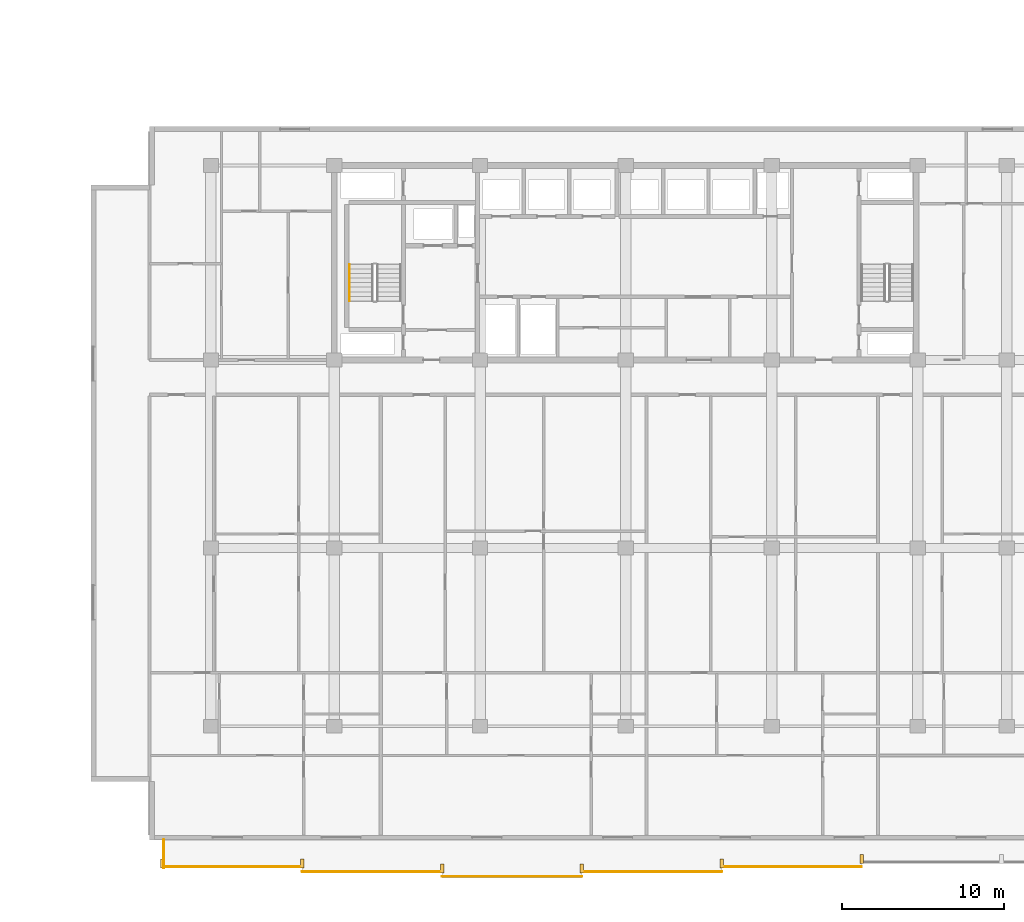
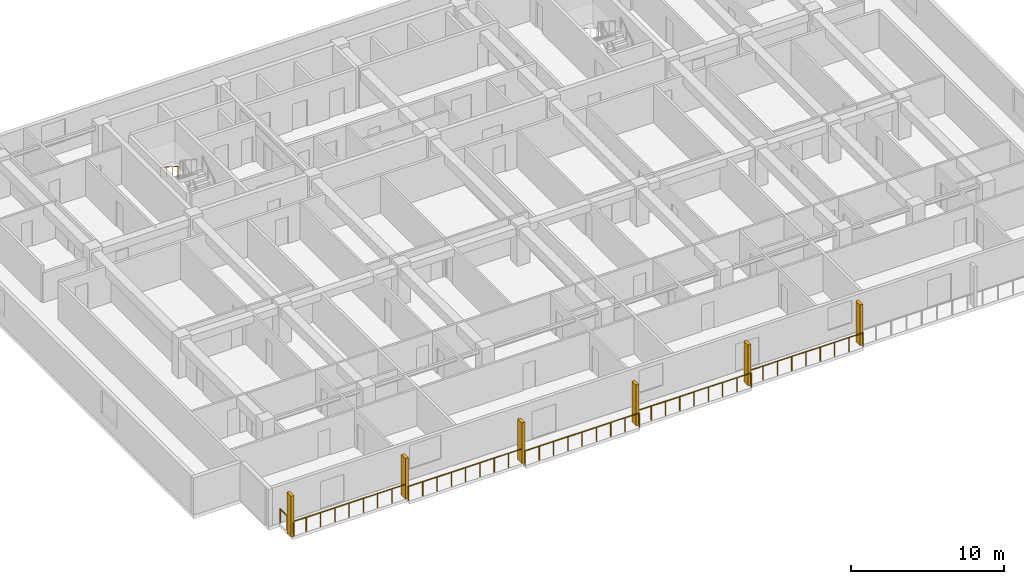
# One storey, part 19 of 23: 7 railings, 6 shading devices.
"""IFC4 building model written with IfcOpenShell, lengths in metres."""

from ifc_helpers import new_model, si_unit, direction, frame, origin, origin_2d, place, context, subcontext, project, spatial, rectangle, circle, extrude, material, type_object, element, save


model = new_model("IFC4")

# Units and contexts
model_context = context("Model", 3, precision=1e-05, world=origin(), true_north=direction((0.0, 1.0)))
body_context = subcontext(model_context, "Body", "Model", "MODEL_VIEW")
ifc_project = project(units=[si_unit("LENGTHUNIT", "METRE"), si_unit("AREAUNIT", "SQUARE_METRE"), si_unit("VOLUMEUNIT", "CUBIC_METRE"), si_unit("PLANEANGLEUNIT", "RADIAN"), si_unit("MASSUNIT", "GRAM", prefix="KILO")], contexts=[model_context])

# Site, building, storey
site_placement = place(None, origin())
site = spatial("IfcSite", under=ifc_project, at=site_placement, CompositionType="ELEMENT")
building_placement = place(site_placement, origin())
building = spatial("IfcBuilding", under=site, at=building_placement, Name="Korimba Cascade Residences", CompositionType="ELEMENT")
storey_placement = place(building_placement, frame((0.0, 0.0, 40.25)))
storey = spatial("IfcBuildingStorey", under=building, at=storey_placement, Name="L10", CompositionType="ELEMENT", Elevation=40.25)

# Railings
ifc_material_1 = material(Name="Laminated Glass and Bronze Balustrade", Category="glass")
railing_type_1 = type_object("IfcRailingType", Name="RLG-LOG-1150", PredefinedType="BALUSTRADE", material=ifc_material_1)
railing_1_placement = place(storey_placement, frame((71.5, -12.8701171875, 0.0)))
element("IfcRailing", 1, at=railing_1_placement, inside=storey, type_object=railing_type_1, Name="L10 Perimeter Guardrail RLG-L10-T2-LOG-01", PredefinedType="BALUSTRADE", context=body_context, shape_type="SweptSolid", body=[
    extrude(circle(Radius=0.02392578125, at=origin_2d()), frame((0.0, 0.0, 1.1259765625), z_axis=(1.0, 0.0, 0.0), x_axis=(0.0, 1.0, 0.0)), (0.0, 0.0, 1.0), 8.628662109375),
    extrude(circle(Radius=0.02099609375, at=origin_2d()), origin(), (0.0, 0.0, 1.0), 1.101806640625),
    extrude(circle(Radius=0.02099609375, at=origin_2d()), frame((1.07861328125, 0.0, 0.0)), (0.0, 0.0, 1.0), 1.101806640625),
    extrude(circle(Radius=0.02099609375, at=origin_2d()), frame((2.1572265625, 0.0, 0.0)), (0.0, 0.0, 1.0), 1.101806640625),
    extrude(circle(Radius=0.02099609375, at=origin_2d()), frame((3.23583984375, 0.0, 0.0)), (0.0, 0.0, 1.0), 1.101806640625),
    extrude(circle(Radius=0.02099609375, at=origin_2d()), frame((4.314453125, 0.0, 0.0)), (0.0, 0.0, 1.0), 1.101806640625),
    extrude(circle(Radius=0.02099609375, at=origin_2d()), frame((5.392822265625, 0.0, 0.0)), (0.0, 0.0, 1.0), 1.101806640625),
    extrude(circle(Radius=0.02099609375, at=origin_2d()), frame((6.471435546875, 0.0, 0.0)), (0.0, 0.0, 1.0), 1.101806640625),
    extrude(circle(Radius=0.02099609375, at=origin_2d()), frame((7.550048828125, 0.0, 0.0)), (0.0, 0.0, 1.0), 1.101806640625),
    extrude(circle(Radius=0.02099609375, at=origin_2d()), frame((8.628662109375, 0.0, 0.0)), (0.0, 0.0, 1.0), 1.101806640625),
])
railing_2_placement = place(storey_placement, frame((80.128662109375, -13.169921875, 0.0)))
element("IfcRailing", 2, at=railing_2_placement, inside=storey, type_object=railing_type_1, Name="L10 Perimeter Guardrail RLG-L10-T2-LOG-02", PredefinedType="BALUSTRADE", context=body_context, shape_type="SweptSolid", body=[
    extrude(circle(Radius=0.02392578125, at=origin_2d()), frame((0.0, 0.0, 1.1259765625), z_axis=(1.0, 0.0, 0.0), x_axis=(0.0, 1.0, 0.0)), (0.0, 0.0, 1.0), 8.62841796875),
    extrude(circle(Radius=0.02099609375, at=origin_2d()), origin(), (0.0, 0.0, 1.0), 1.101806640625),
    extrude(circle(Radius=0.02099609375, at=origin_2d()), frame((1.07861328125, 0.0, 0.0)), (0.0, 0.0, 1.0), 1.101806640625),
    extrude(circle(Radius=0.02099609375, at=origin_2d()), frame((2.1572265625, 0.0, 0.0)), (0.0, 0.0, 1.0), 1.101806640625),
    extrude(circle(Radius=0.02099609375, at=origin_2d()), frame((3.235595703125, 0.0, 0.0)), (0.0, 0.0, 1.0), 1.101806640625),
    extrude(circle(Radius=0.02099609375, at=origin_2d()), frame((4.314208984375, 0.0, 0.0)), (0.0, 0.0, 1.0), 1.101806640625),
    extrude(circle(Radius=0.02099609375, at=origin_2d()), frame((5.392822265625, 0.0, 0.0)), (0.0, 0.0, 1.0), 1.101806640625),
    extrude(circle(Radius=0.02099609375, at=origin_2d()), frame((6.47119140625, 0.0, 0.0)), (0.0, 0.0, 1.0), 1.101806640625),
    extrude(circle(Radius=0.02099609375, at=origin_2d()), frame((7.5498046875, 0.0, 0.0)), (0.0, 0.0, 1.0), 1.101806640625),
    extrude(circle(Radius=0.02099609375, at=origin_2d()), frame((8.62841796875, 0.0, 0.0)), (0.0, 0.0, 1.0), 1.101806640625),
])
for number, where, name in (
    (3, (88.757080078125, -13.469970703125, 0.0), "L10 Perimeter Guardrail RLG-L10-T2-LOG-03"),
    (4, (97.3857421875, -13.169921875, 0.0), "L10 Perimeter Guardrail RLG-L10-T2-LOG-04"),
):
    element("IfcRailing", number, at=place(storey_placement, frame(where)), inside=storey, type_object=railing_type_1, Name=name, PredefinedType="BALUSTRADE", context=body_context, shape_type="SweptSolid", body=[
        extrude(circle(Radius=0.02392578125, at=origin_2d()), frame((0.0, 0.0, 1.1259765625), z_axis=(1.0, 0.0, 0.0), x_axis=(0.0, 1.0, 0.0)), (0.0, 0.0, 1.0), 8.628662109375),
        extrude(circle(Radius=0.02099609375, at=origin_2d()), origin(), (0.0, 0.0, 1.0), 1.101806640625),
        extrude(circle(Radius=0.02099609375, at=origin_2d()), frame((1.07861328125, 0.0, 0.0)), (0.0, 0.0, 1.0), 1.101806640625),
        extrude(circle(Radius=0.02099609375, at=origin_2d()), frame((2.1572265625, 0.0, 0.0)), (0.0, 0.0, 1.0), 1.101806640625),
        extrude(circle(Radius=0.02099609375, at=origin_2d()), frame((3.23583984375, 0.0, 0.0)), (0.0, 0.0, 1.0), 1.101806640625),
        extrude(circle(Radius=0.02099609375, at=origin_2d()), frame((4.314453125, 0.0, 0.0)), (0.0, 0.0, 1.0), 1.101806640625),
        extrude(circle(Radius=0.02099609375, at=origin_2d()), frame((5.392822265625, 0.0, 0.0)), (0.0, 0.0, 1.0), 1.101806640625),
        extrude(circle(Radius=0.02099609375, at=origin_2d()), frame((6.471435546875, 0.0, 0.0)), (0.0, 0.0, 1.0), 1.101806640625),
        extrude(circle(Radius=0.02099609375, at=origin_2d()), frame((7.550048828125, 0.0, 0.0)), (0.0, 0.0, 1.0), 1.101806640625),
        extrude(circle(Radius=0.02099609375, at=origin_2d()), frame((8.628662109375, 0.0, 0.0)), (0.0, 0.0, 1.0), 1.101806640625),
    ])
railing_3_placement = place(storey_placement, frame((106.014404296875, -12.8701171875, 0.0)))
element("IfcRailing", 5, at=railing_3_placement, inside=storey, type_object=railing_type_1, Name="L10 Perimeter Guardrail RLG-L10-T2-LOG-05", PredefinedType="BALUSTRADE", context=body_context, shape_type="SweptSolid", body=[
    extrude(circle(Radius=0.02392578125, at=origin_2d()), frame((0.0, 0.0, 1.1259765625), z_axis=(1.0, 0.0, 0.0), x_axis=(0.0, 1.0, 0.0)), (0.0, 0.0, 1.0), 8.62841796875),
    extrude(circle(Radius=0.02099609375, at=origin_2d()), origin(), (0.0, 0.0, 1.0), 1.101806640625),
    extrude(circle(Radius=0.02099609375, at=origin_2d()), frame((1.07861328125, 0.0, 0.0)), (0.0, 0.0, 1.0), 1.101806640625),
    extrude(circle(Radius=0.02099609375, at=origin_2d()), frame((2.1572265625, 0.0, 0.0)), (0.0, 0.0, 1.0), 1.101806640625),
    extrude(circle(Radius=0.02099609375, at=origin_2d()), frame((3.235595703125, 0.0, 0.0)), (0.0, 0.0, 1.0), 1.101806640625),
    extrude(circle(Radius=0.02099609375, at=origin_2d()), frame((4.314208984375, 0.0, 0.0)), (0.0, 0.0, 1.0), 1.101806640625),
    extrude(circle(Radius=0.02099609375, at=origin_2d()), frame((5.392822265625, 0.0, 0.0)), (0.0, 0.0, 1.0), 1.101806640625),
    extrude(circle(Radius=0.02099609375, at=origin_2d()), frame((6.47119140625, 0.0, 0.0)), (0.0, 0.0, 1.0), 1.101806640625),
    extrude(circle(Radius=0.02099609375, at=origin_2d()), frame((7.5498046875, 0.0, 0.0)), (0.0, 0.0, 1.0), 1.101806640625),
    extrude(circle(Radius=0.02099609375, at=origin_2d()), frame((8.62841796875, 0.0, 0.0)), (0.0, 0.0, 1.0), 1.101806640625),
])
railing_4_placement = place(storey_placement, frame((71.580078125, -11.199951171875, 0.0)))
element("IfcRailing", 6, at=railing_4_placement, inside=storey, type_object=railing_type_1, Name="L10 Perimeter Guardrail RLG-L10-T2-LOG-08", PredefinedType="BALUSTRADE", context=body_context, shape_type="SweptSolid", body=[
    extrude(circle(Radius=0.02392578125, at=origin_2d()), frame((0.0, 0.0, 1.1259765625), z_axis=(0.0, -1.0, 0.0), x_axis=(1.0, 0.0, 0.0)), (0.0, 0.0, 1.0), 1.75),
    extrude(circle(Radius=0.02099609375, at=origin_2d()), origin(), (0.0, 0.0, 1.0), 1.101806640625),
    extrude(circle(Radius=0.02099609375, at=origin_2d()), frame((0.0, -0.875, 0.0)), (0.0, 0.0, 1.0), 1.101806640625),
    extrude(circle(Radius=0.02099609375, at=origin_2d()), frame((0.0, -1.75, 0.0)), (0.0, 0.0, 1.0), 1.101806640625),
])
ifc_material_2 = material(Name="Brushed Stainless Steel Handrail", Category="steel")
railing_type_2 = type_object("IfcRailingType", Name="RLG-ST-HR900", PredefinedType="HANDRAIL", material=ifc_material_2)
railing_5_placement = place(storey_placement, frame((83.050048828125, 24.2900390625, 1.989990234375)))
element("IfcRailing", 7, at=railing_5_placement, inside=storey, type_object=railing_type_2, Name="L10 ST-E1 stair handrail 2", PredefinedType="HANDRAIL", context=body_context, shape_type="SweptSolid", body=[
    extrude(circle(Radius=0.02392578125, at=origin_2d()), frame((0.0, 0.0, 0.8759765625), z_axis=(0.0, -0.840436612492, 0.541909863706), x_axis=(1.0, 0.0, 0.0)), (0.0, 0.0, 1.0), 2.665283203125),
    extrude(circle(Radius=0.02099609375, at=origin_2d()), origin(), (0.0, 0.0, 1.0), 0.851806640625),
    extrude(circle(Radius=0.02099609375, at=origin_2d()), frame((0.0, -0.74658203125, 0.4814453125)), (0.0, 0.0, 1.0), 0.851806640625),
    extrude(circle(Radius=0.02099609375, at=origin_2d()), frame((0.0, -1.493408203125, 0.962890625)), (0.0, 0.0, 1.0), 0.851806640625),
    extrude(circle(Radius=0.02099609375, at=origin_2d()), frame((0.0, -2.239990234375, 1.4443359375)), (0.0, 0.0, 1.0), 0.851806640625),
])

# Shading devices
ifc_material_3 = material(Name="Honed Sandstone Precast Fin", Category="masonry")
shading_device_type = type_object("IfcShadingDeviceType", Name="SHD-FIN-550", PredefinedType="USERDEFINED", material=ifc_material_3)
for number, where, z_axis, x_axis, name in (
    (8, (71.5, -12.675048828125, 0.0), (0.0, 0.0, 1.0), (1.0, 0.0, 0.0), "L10 T2 Warm-Stone Loggia Fin 1"),
    (9, (80.128662109375, -12.675048828125, 0.0), (0.0, 0.0, 1.0), (1.0, 0.0, 0.0), "L10 T2 Warm-Stone Loggia Fin 2"),
    (10, (88.757080078125, -12.97509765625, 0.0), (0.0, 0.0, 1.0), (1.0, 0.0, 0.0), "L10 T2 Warm-Stone Loggia Fin 3"),
    (11, (97.3857421875, -12.97509765625, 0.0), (0.0, 0.0, 1.0), (1.0, 0.0, 0.0), "L10 T2 Warm-Stone Loggia Fin 4"),
    (12, (106.014404296875, -12.675048828125, 0.0), (0.0, 0.0, 1.0), (1.0, 0.0, 0.0), "L10 T2 Warm-Stone Loggia Fin 5"),
    (13, (114.642822265625, -12.375, 0.0), (0.0, 0.0, 1.0), (1.0, 0.0, 0.0), "L10 T2 Warm-Stone Loggia Fin 6"),
):
    element("IfcShadingDevice", number, at=place(storey_placement, frame(where, z_axis=z_axis, x_axis=x_axis)), inside=storey, type_object=shading_device_type, Name=name, ObjectType="FIN", PredefinedType="USERDEFINED", context=body_context, shape_type="SweptSolid", body=[
        extrude(rectangle(XDim=0.219970703125, YDim=0.550048828125, at=origin_2d()), origin(), (0.0, 0.0, 1.0), 3.25),
    ])

save(model, "model.ifc")
